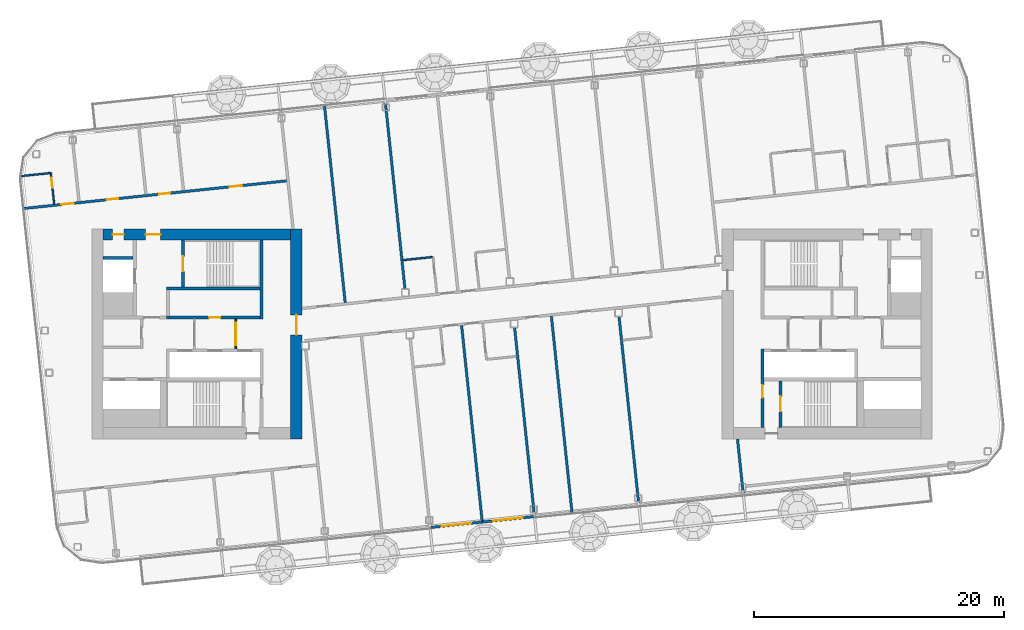
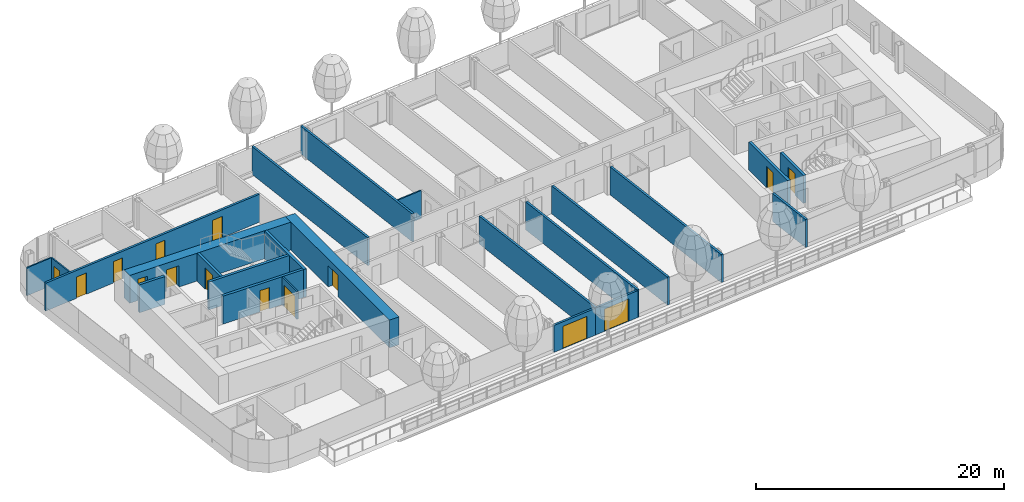
# One storey, part 13 of 29: 23 walls, 15 doors, 15 openings, 1 element without a shape of its own.
"""IFC4 building model written with IfcOpenShell, lengths in metres."""

from ifc_helpers import new_model, si_unit, direction, frame, frame_2d, origin, place, context, subcontext, project, spatial, rectangle, extrude, material, layer, layer_set, type_object, element, fill, aggregate, save


model = new_model("IFC4")

# Units and contexts
model_context = context("Model", 3, precision=1e-05, world=origin(), true_north=direction((0.0, 1.0)))
body_context = subcontext(model_context, "Body", "Model", "MODEL_VIEW")
ifc_project = project(units=[si_unit("LENGTHUNIT", "METRE"), si_unit("AREAUNIT", "SQUARE_METRE"), si_unit("VOLUMEUNIT", "CUBIC_METRE"), si_unit("PLANEANGLEUNIT", "RADIAN"), si_unit("MASSUNIT", "GRAM", prefix="KILO")], contexts=[model_context])

# Site, building, storey
site_placement = place(None, origin())
site = spatial("IfcSite", under=ifc_project, at=site_placement, CompositionType="ELEMENT")
building_placement = place(site_placement, origin())
building = spatial("IfcBuilding", under=site, at=building_placement, Name="Hakoniwa Tower and Hamabe Station Hall", CompositionType="ELEMENT")
storey_placement = place(building_placement, frame((0.0, 0.0, 258.199951171875)))
storey = spatial("IfcBuildingStorey", under=building, at=storey_placement, Name="L73", CompositionType="ELEMENT", Elevation=258.199951171875)

# Walls
ifc_material_1 = material(Name="Gypsum board partition", Category="gypsum")
ifc_layer_1 = layer(ifc_material_1, 0.125)
ifc_layer_set_1 = layer_set([ifc_layer_1], Name="Bathroom Partition 125")
wall_type_1 = type_object("IfcWallType", Name="Bathroom Partition 125", PredefinedType="PARTITIONING", material=ifc_layer_set_1)
wall_1_placement = place(storey_placement, frame((-8.7041015625, 5.908935546875, 0.0), z_axis=(0.0, 0.0, 1.0), x_axis=(0.994530605544, 0.104445558238, 0.0)))
element("IfcWall", 1, at=wall_1_placement, inside=storey, type_object=wall_type_1, Name="GW-L73-009", PredefinedType="PARTITIONING", context=body_context, shape_type="SweptSolid", body=[
    extrude(rectangle(XDim=2.33740234375, YDim=0.125, at=frame_2d((1.168701171875, 0.0))), origin(), (0.0, 0.0, 1.0), 2.75),
])
wall_2_placement = place(storey_placement, frame((-39.336181640625, 12.62353515625, 0.0), z_axis=(0.0, 0.0, 1.0), x_axis=(0.994528281662, 0.104467683877, 0.0)))
element("IfcWall", 2, at=wall_2_placement, inside=storey, type_object=wall_type_1, Name="GW-L73-016", PredefinedType="PARTITIONING", context=body_context, shape_type="SweptSolid", body=[
    extrude(rectangle(XDim=2.400146484375, YDim=0.125, at=frame_2d((1.2001953125, 0.0))), origin(), (0.0, 0.0, 1.0), 2.75),
])

# Wall, opening, door
wall_3_placement = place(storey_placement, frame((-36.625732421875, 10.39453125, 0.0), z_axis=(0.0, 0.0, 1.0), x_axis=(-0.104588199498, 0.994515615024, 0.0)))
wall_3 = element("IfcWall", 3, at=wall_3_placement, inside=storey, type_object=wall_type_1, Name="GW-L73-018", PredefinedType="PARTITIONING", context=body_context, shape_type="SweptSolid", body=[
    extrude(rectangle(XDim=2.5, YDim=0.125, at=frame_2d((1.25, 0.0))), origin(), (0.0, 0.0, 1.0), 2.75),
])
opening_1_placement = place(wall_3_placement, frame((1.300048828125, 0.0, 0.0)))
opening_1 = element("IfcOpeningElement", 4, at=opening_1_placement, cuts=wall_3, Name="Opening GD-G5C1-30", PredefinedType="OPENING", context=body_context, shape_type="SweptSolid", body=[
    extrude(rectangle(XDim=0.800048828125, YDim=2.10009765625, at=frame_2d((0.39990234375, 1.050048828125))), frame((0.0, 0.072509765625, 0.0), z_axis=(0.0, -1.0, 0.0), x_axis=(1.0, 0.0, 0.0)), (0.0, 0.0, 1.0), 0.14501953125),
])
ifc_material_2 = material(Name="Timber door leaf", Category="wood")
door_type_1 = type_object("IfcDoorType", Name="Bathroom Door 800", OperationType="SINGLE_SWING_LEFT", PredefinedType="DOOR", material=ifc_material_2)
door_1_placement = place(opening_1_placement, origin())
door_1 = element("IfcDoor", 5, at=door_1_placement, inside=storey, type_object=door_type_1, Name="Door GD-G5C1-30", OperationType="SINGLE_SWING_LEFT", OverallHeight=2.10009765625, OverallWidth=0.800048828125, PredefinedType="DOOR", context=body_context, shape_type="SweptSolid", body=[
    extrude(rectangle(XDim=0.800048828125, YDim=2.10009765625, at=frame_2d((0.39990234375, 1.050048828125))), frame((0.0, 0.02490234375, 0.0), z_axis=(0.0, -1.0, 0.0), x_axis=(1.0, 0.0, 0.0)), (0.0, 0.0, 1.0), 0.050048828125),
])
fill(opening_1, door_1)

ifc_material_3 = material(Name="Gypsum board partition")
ifc_layer_2 = layer(ifc_material_3, 0.14990234375)
ifc_layer_set_2 = layer_set([ifc_layer_2], Name="CORE PARTITION 150 EI 60")
wall_type_2 = type_object("IfcWallType", Name="CORE PARTITION 150 EI 60", PredefinedType="PARTITIONING", material=ifc_layer_set_2)
wall_4_placement = place(storey_placement, frame((-22.10009765625, -1.199951171875, 0.0), z_axis=(0.0, 0.0, 1.0), x_axis=(0.0, 1.0, 0.0)))
wall_4 = element("IfcWall", 6, at=wall_4_placement, inside=storey, type_object=wall_type_2, Name="Core partition PL0 west", PredefinedType="PARTITIONING", context=body_context, shape_type="SweptSolid", body=[
    extrude(rectangle(XDim=2.39990234375, YDim=0.14990234375, at=frame_2d((1.199951171875, 0.0))), origin(), (0.0, 0.0, 1.0), 2.75),
])
opening_2_placement = place(wall_4_placement, frame((0.300048828125, 0.0, 0.0)))
opening_2 = element("IfcOpeningElement", 7, at=opening_2_placement, cuts=wall_4, Name="Opening CD-W-LP0-18", PredefinedType="OPENING", context=body_context, shape_type="SweptSolid", body=[
    extrude(rectangle(XDim=1.800048828125, YDim=2.10009765625, at=frame_2d((0.89990234375, 1.050048828125))), frame((0.0, 0.0849609375, 0.0), z_axis=(0.0, -1.0, 0.0), x_axis=(1.0, 0.0, 0.0)), (0.0, 0.0, 1.0), 0.169921875),
])
ifc_material_4 = material(Name="Steel fire door", Category="steel")
door_type_2 = type_object("IfcDoorType", Name="CORE DOOR 1800 FD60", OperationType="DOUBLE_DOOR_SINGLE_SWING", PredefinedType="DOOR", material=ifc_material_4)
door_2_placement = place(opening_2_placement, origin())
door_2 = element("IfcDoor", 8, at=door_2_placement, inside=storey, type_object=door_type_2, Name="Lift lobby partition door", OperationType="DOUBLE_DOOR_SINGLE_SWING", OverallHeight=2.10009765625, OverallWidth=1.800048828125, PredefinedType="DOOR", context=body_context, shape_type="SweptSolid", body=[
    extrude(rectangle(XDim=1.800048828125, YDim=2.10009765625, at=frame_2d((0.89990234375, 1.050048828125))), frame((0.0, 0.02490234375, 0.0), z_axis=(0.0, -1.0, 0.0), x_axis=(1.0, 0.0, 0.0)), (0.0, 0.0, 1.0), 0.050048828125),
])
fill(opening_2, door_2)

ifc_material_5 = material(Name="Concrete C60", Category="concrete")
ifc_layer_3 = layer(ifc_material_5, 0.89990234375)
ifc_layer_set_3 = layer_set([ifc_layer_3], Name="CORE WALL 900 C60")
wall_type_3 = type_object("IfcWallType", Name="CORE WALL 900 C60", PredefinedType="SHEAR", material=ifc_layer_set_3)
wall_5_placement = place(storey_placement, frame((-17.25, -8.39990234375, 0.0), z_axis=(0.0, 0.0, 1.0), x_axis=(0.0, 1.0, 0.0)))
wall_5 = element("IfcWall", 9, at=wall_5_placement, inside=storey, type_object=wall_type_3, Name="Core wall INNER west", PredefinedType="SHEAR", context=body_context, shape_type="SweptSolid", body=[
    extrude(rectangle(XDim=16.7998046875, YDim=0.89990234375, at=frame_2d((8.39990234375, 0.0))), origin(), (0.0, 0.0, 1.0), 2.75),
])
opening_3_placement = place(wall_5_placement, frame((8.321044921875, 0.0, 0.0)))
opening_3 = element("IfcOpeningElement", 10, at=opening_3_placement, cuts=wall_5, Name="Opening CD-W-IN1-16", PredefinedType="OPENING", context=body_context, shape_type="SweptSolid", body=[
    extrude(rectangle(XDim=1.60009765625, YDim=2.10009765625, at=frame_2d((0.800048828125, 1.050048828125))), frame((0.0, 0.4599609375, 0.0), z_axis=(0.0, -1.0, 0.0), x_axis=(1.0, 0.0, 0.0)), (0.0, 0.0, 1.0), 0.919921875),
])
ifc_material_6 = material(Name="Steel fire door", Category="steel")
door_type_3 = type_object("IfcDoorType", Name="CORE DOOR 1600 FD60", OperationType="DOUBLE_DOOR_SINGLE_SWING", PredefinedType="DOOR", material=ifc_material_6)
door_3_placement = place(opening_3_placement, origin())
door_3 = element("IfcDoor", 11, at=door_3_placement, inside=storey, type_object=door_type_3, Name="Lift lobby door", OperationType="DOUBLE_DOOR_SINGLE_SWING", OverallHeight=2.10009765625, OverallWidth=1.60009765625, PredefinedType="DOOR", context=body_context, shape_type="SweptSolid", body=[
    extrude(rectangle(XDim=1.60009765625, YDim=2.10009765625, at=frame_2d((0.800048828125, 1.050048828125))), frame((0.0, 0.02490234375, 0.0), z_axis=(0.0, -1.0, 0.0), x_axis=(1.0, 0.0, 0.0)), (0.0, 0.0, 1.0), 0.050048828125),
])
fill(opening_3, door_3)

# Wall, openings, doors
wall_6_placement = place(storey_placement, frame((-32.699951171875, 7.949951171875, 0.0), z_axis=(0.0, 0.0, 1.0), x_axis=(1.0, 0.0, 0.0)))
wall_6 = element("IfcWall", 12, at=wall_6_placement, inside=storey, type_object=wall_type_3, Name="Core wall NORTH west", PredefinedType="SHEAR", context=body_context, shape_type="SweptSolid", body=[
    extrude(rectangle(XDim=15.0, YDim=0.89990234375, at=frame_2d((7.5, 0.0))), origin(), (0.0, 0.0, 1.0), 2.75),
])
opening_4_placement = place(wall_6_placement, frame((3.39990234375, 0.0, 0.0)))
opening_4 = element("IfcOpeningElement", 13, at=opening_4_placement, cuts=wall_6, Name="Opening CD-W-FN1-12", PredefinedType="OPENING", context=body_context, shape_type="SweptSolid", body=[
    extrude(rectangle(XDim=1.199951171875, YDim=2.10009765625, at=frame_2d((0.60009765625, 1.050048828125))), frame((0.0, 0.4599609375, 0.0), z_axis=(0.0, -1.0, 0.0), x_axis=(1.0, 0.0, 0.0)), (0.0, 0.0, 1.0), 0.919921875),
])
opening_5_placement = place(wall_6_placement, frame((0.75, 0.0, 0.0)))
opening_5 = element("IfcOpeningElement", 14, at=opening_5_placement, cuts=wall_6, Name="Opening CD-W-FN2-9", PredefinedType="OPENING", context=body_context, shape_type="SweptSolid", body=[
    extrude(rectangle(XDim=0.89990234375, YDim=2.10009765625, at=frame_2d((0.449951171875, 1.050048828125))), frame((0.0, 0.4599609375, 0.0), z_axis=(0.0, -1.0, 0.0), x_axis=(1.0, 0.0, 0.0)), (0.0, 0.0, 1.0), 0.919921875),
])
ifc_material_7 = material(Name="Steel fire door", Category="steel")
door_type_4 = type_object("IfcDoorType", Name="CORE DOOR 1200 FD60", OperationType="DOUBLE_DOOR_SINGLE_SWING", PredefinedType="DOOR", material=ifc_material_7)
door_4_placement = place(opening_4_placement, origin())
door_4 = element("IfcDoor", 15, at=door_4_placement, inside=storey, type_object=door_type_4, Name="Stair vestibule door to the fire-fighting lobby", OperationType="DOUBLE_DOOR_SINGLE_SWING", OverallHeight=2.10009765625, OverallWidth=1.199951171875, PredefinedType="DOOR", context=body_context, shape_type="SweptSolid", body=[
    extrude(rectangle(XDim=1.199951171875, YDim=2.10009765625, at=frame_2d((0.60009765625, 1.050048828125))), frame((0.0, 0.02490234375, 0.0), z_axis=(0.0, -1.0, 0.0), x_axis=(1.0, 0.0, 0.0)), (0.0, 0.0, 1.0), 0.050048828125),
])
fill(opening_4, door_4)
ifc_material_8 = material(Name="Steel fire door", Category="steel")
door_type_5 = type_object("IfcDoorType", Name="CORE DOOR 900 FD30", OperationType="NOTDEFINED", PredefinedType="DOOR", material=ifc_material_8)
door_5_placement = place(opening_5_placement, origin())
door_5 = element("IfcDoor", 16, at=door_5_placement, inside=storey, type_object=door_type_5, Name="Riser access door", OperationType="SINGLE_SWING_LEFT", OverallHeight=2.10009765625, OverallWidth=0.89990234375, PredefinedType="DOOR", context=body_context, shape_type="SweptSolid", body=[
    extrude(rectangle(XDim=0.89990234375, YDim=2.10009765625, at=frame_2d((0.449951171875, 1.050048828125))), frame((0.0, 0.02490234375, 0.0), z_axis=(0.0, -1.0, 0.0), x_axis=(1.0, 0.0, 0.0)), (0.0, 0.0, 1.0), 0.050048828125),
])
fill(opening_5, door_5)

# Wall
ifc_material_9 = material(Name="Concrete C60", Category="concrete")
ifc_layer_4 = layer(ifc_material_9, 0.25)
ifc_layer_set_4 = layer_set([ifc_layer_4], Name="CORE WEB WALL 250 C60")
wall_type_4 = type_object("IfcWallType", Name="CORE WEB WALL 250 C60", PredefinedType="SHEAR", material=ifc_layer_set_4)
wall_7_placement = place(storey_placement, frame((-20.02490234375, 1.199951171875, 0.0), z_axis=(0.0, 0.0, 1.0), x_axis=(0.0, 1.0, 0.0)))
element("IfcWall", 17, at=wall_7_placement, inside=storey, type_object=wall_type_4, Name="Core wall W1N west", PredefinedType="SHEAR", context=body_context, shape_type="SweptSolid", body=[
    extrude(rectangle(XDim=6.300048828125, YDim=0.25, at=frame_2d((3.14990234375, 0.0))), origin(), (0.0, 0.0, 1.0), 2.75),
])

# Wall, opening, door
wall_8_placement = place(storey_placement, frame((-27.64990234375, 1.324951171875, 0.0), z_axis=(0.0, 0.0, 1.0), x_axis=(1.0, 0.0, 0.0)))
wall_8 = element("IfcWall", 18, at=wall_8_placement, inside=storey, type_object=wall_type_4, Name="Core wall NF west", PredefinedType="SHEAR", context=body_context, shape_type="SweptSolid", body=[
    extrude(rectangle(XDim=7.5, YDim=0.25, at=frame_2d((3.75, 0.0))), origin(), (0.0, 0.0, 1.0), 2.75),
])
opening_6_placement = place(wall_8_placement, frame((3.425048828125, 0.0, 0.0)))
opening_6 = element("IfcOpeningElement", 19, at=opening_6_placement, cuts=wall_8, Name="Opening CD-W-FRLR0-9", PredefinedType="OPENING", context=body_context, shape_type="SweptSolid", body=[
    extrude(rectangle(XDim=0.89990234375, YDim=2.10009765625, at=frame_2d((0.449951171875, 1.050048828125))), frame((0.0, 0.135009765625, 0.0), z_axis=(0.0, -1.0, 0.0), x_axis=(1.0, 0.0, 0.0)), (0.0, 0.0, 1.0), 0.27001953125),
])
door_6_placement = place(opening_6_placement, origin())
door_6 = element("IfcDoor", 20, at=door_6_placement, inside=storey, type_object=door_type_5, Name="Store room door", OperationType="SINGLE_SWING_RIGHT", OverallHeight=2.10009765625, OverallWidth=0.89990234375, PredefinedType="DOOR", context=body_context, shape_type="SweptSolid", body=[
    extrude(rectangle(XDim=0.89990234375, YDim=2.10009765625, at=frame_2d((0.449951171875, 1.050048828125))), frame((0.0, 0.02490234375, 0.0), z_axis=(0.0, -1.0, 0.0), x_axis=(1.0, 0.0, 0.0)), (0.0, 0.0, 1.0), 0.050048828125),
])
fill(opening_6, door_6)

# Wall
wall_9_placement = place(storey_placement, frame((-27.64990234375, 3.625, 0.0), z_axis=(0.0, 0.0, 1.0), x_axis=(1.0, 0.0, 0.0)))
element("IfcWall", 21, at=wall_9_placement, inside=storey, type_object=wall_type_4, Name="Core wall NR west", PredefinedType="SHEAR", context=body_context, shape_type="SweptSolid", body=[
    extrude(rectangle(XDim=7.5, YDim=0.25, at=frame_2d((3.75, 0.0))), origin(), (0.0, 0.0, 1.0), 2.75),
])

# Wall, opening, door
wall_10_placement = place(storey_placement, frame((-26.324951171875, 3.75, 0.0), z_axis=(0.0, 0.0, 1.0), x_axis=(0.0, 1.0, 0.0)))
wall_10 = element("IfcWall", 22, at=wall_10_placement, inside=storey, type_object=wall_type_4, Name="Core wall NSE west", PredefinedType="SHEAR", context=body_context, shape_type="SweptSolid", body=[
    extrude(rectangle(XDim=3.75, YDim=0.25, at=frame_2d((1.875, 0.0))), origin(), (0.0, 0.0, 1.0), 2.75),
])
opening_7_placement = place(wall_10_placement, frame((1.25, 0.0, 0.0)))
opening_7 = element("IfcOpeningElement", 23, at=opening_7_placement, cuts=wall_10, Name="Opening CD-W-SN-12", PredefinedType="OPENING", context=body_context, shape_type="SweptSolid", body=[
    extrude(rectangle(XDim=1.199951171875, YDim=2.10009765625, at=frame_2d((0.60009765625, 1.050048828125))), frame((0.0, 0.135009765625, 0.0), z_axis=(0.0, -1.0, 0.0), x_axis=(1.0, 0.0, 0.0)), (0.0, 0.0, 1.0), 0.27001953125),
])
door_7_placement = place(opening_7_placement, origin())
door_7 = element("IfcDoor", 24, at=door_7_placement, inside=storey, type_object=door_type_4, Name="Escape stair door", OperationType="DOUBLE_DOOR_SINGLE_SWING", OverallHeight=2.10009765625, OverallWidth=1.199951171875, PredefinedType="DOOR", context=body_context, shape_type="SweptSolid", body=[
    extrude(rectangle(XDim=1.199951171875, YDim=2.10009765625, at=frame_2d((0.60009765625, 1.050048828125))), frame((0.0, 0.02490234375, 0.0), z_axis=(0.0, -1.0, 0.0), x_axis=(1.0, 0.0, 0.0)), (0.0, 0.0, 1.0), 0.050048828125),
])
fill(opening_7, door_7)

# Wall
wall_11_placement = place(storey_placement, frame((-32.699951171875, 6.074951171875, 0.0), z_axis=(0.0, 0.0, 1.0), x_axis=(1.0, 0.0, 0.0)))
element("IfcWall", 25, at=wall_11_placement, inside=storey, type_object=wall_type_4, Name="Core wall C2 west", PredefinedType="SHEAR", context=body_context, shape_type="SweptSolid", body=[
    extrude(rectangle(XDim=2.39990234375, YDim=0.25, at=frame_2d((1.199951171875, 0.0))), origin(), (0.0, 0.0, 1.0), 2.75),
])

# Wall, opening, door
wall_12_placement = place(storey_placement, frame((20.02490234375, -7.5, 0.0), z_axis=(0.0, 0.0, 1.0), x_axis=(0.0, 1.0, 0.0)))
wall_12 = element("IfcWall", 26, at=wall_12_placement, inside=storey, type_object=wall_type_4, Name="Core wall W1S east", PredefinedType="SHEAR", context=body_context, shape_type="SweptSolid", body=[
    extrude(rectangle(XDim=6.300048828125, YDim=0.25, at=frame_2d((3.14990234375, 0.0))), origin(), (0.0, 0.0, 1.0), 2.75),
])
opening_8_placement = place(wall_12_placement, frame((2.39990234375, 0.0, 0.0)))
opening_8 = element("IfcOpeningElement", 27, at=opening_8_placement, cuts=wall_12, Name="Opening CD-E-VS-10", PredefinedType="OPENING", context=body_context, shape_type="SweptSolid", body=[
    extrude(rectangle(XDim=1.0, YDim=2.10009765625, at=frame_2d((0.5, 1.050048828125))), frame((0.0, 0.135009765625, 0.0), z_axis=(0.0, -1.0, 0.0), x_axis=(1.0, 0.0, 0.0)), (0.0, 0.0, 1.0), 0.27001953125),
])
ifc_material_10 = material(Name="Steel fire door", Category="steel")
door_type_6 = type_object("IfcDoorType", Name="CORE DOOR 1000 FD60", OperationType="NOTDEFINED", PredefinedType="DOOR", material=ifc_material_10)
door_8_placement = place(opening_8_placement, origin())
door_8 = element("IfcDoor", 28, at=door_8_placement, inside=storey, type_object=door_type_6, Name="Stair vestibule door", OperationType="SINGLE_SWING_RIGHT", OverallHeight=2.10009765625, OverallWidth=1.0, PredefinedType="DOOR", context=body_context, shape_type="SweptSolid", body=[
    extrude(rectangle(XDim=1.0, YDim=2.10009765625, at=frame_2d((0.5, 1.050048828125))), frame((0.0, 0.02490234375, 0.0), z_axis=(0.0, -1.0, 0.0), x_axis=(1.0, 0.0, 0.0)), (0.0, 0.0, 1.0), 0.050048828125),
])
fill(opening_8, door_8)

wall_13_placement = place(storey_placement, frame((21.47509765625, -7.5, 0.0), z_axis=(0.0, 0.0, 1.0), x_axis=(0.0, 1.0, 0.0)))
wall_13 = element("IfcWall", 29, at=wall_13_placement, inside=storey, type_object=wall_type_4, Name="Core wall VE east", PredefinedType="SHEAR", context=body_context, shape_type="SweptSolid", body=[
    extrude(rectangle(XDim=3.75, YDim=0.25, at=frame_2d((1.875, 0.0))), origin(), (0.0, 0.0, 1.0), 2.75),
])
opening_9_placement = place(wall_13_placement, frame((1.300048828125, 0.0, 0.0)))
opening_9 = element("IfcOpeningElement", 30, at=opening_9_placement, cuts=wall_13, Name="Opening CD-E-SS-12", PredefinedType="OPENING", context=body_context, shape_type="SweptSolid", body=[
    extrude(rectangle(XDim=1.199951171875, YDim=2.10009765625, at=frame_2d((0.60009765625, 1.050048828125))), frame((0.0, 0.135009765625, 0.0), z_axis=(0.0, -1.0, 0.0), x_axis=(1.0, 0.0, 0.0)), (0.0, 0.0, 1.0), 0.27001953125),
])
door_9_placement = place(opening_9_placement, origin())
door_9 = element("IfcDoor", 31, at=door_9_placement, inside=storey, type_object=door_type_4, Name="Escape stair door", OperationType="DOUBLE_DOOR_SINGLE_SWING", OverallHeight=2.10009765625, OverallWidth=1.199951171875, PredefinedType="DOOR", context=body_context, shape_type="SweptSolid", body=[
    extrude(rectangle(XDim=1.199951171875, YDim=2.10009765625, at=frame_2d((0.60009765625, 1.050048828125))), frame((0.0, 0.02490234375, 0.0), z_axis=(0.0, -1.0, 0.0), x_axis=(1.0, 0.0, 0.0)), (0.0, 0.0, 1.0), 0.050048828125),
])
fill(opening_9, door_9)

# Wall, openings, doors
ifc_material_11 = material(Name="Fire-rated gypsum board partition", Category="gypsum")
ifc_layer_5 = layer(ifc_material_11, 0.199951171875)
ifc_layer_set_5 = layer_set([ifc_layer_5], Name="Corridor Wall 200")
wall_type_5 = type_object("IfcWallType", Name="Corridor Wall 200", PredefinedType="PARTITIONING", material=ifc_layer_set_5)
wall_14_placement = place(storey_placement, frame((-39.101806640625, 10.033935546875, 0.0), z_axis=(0.0, 0.0, 1.0), x_axis=(0.994522585465, 0.104521897229, 0.0)))
wall_14 = element("IfcWall", 32, at=wall_14_placement, inside=storey, type_object=wall_type_5, Name="GW-L73-015", PredefinedType="PARTITIONING", context=body_context, shape_type="SweptSolid", body=[
    extrude(rectangle(XDim=21.300048828125, YDim=0.199951171875, at=frame_2d((10.64990234375, 0.0))), origin(), (0.0, 0.0, 1.0), 2.75),
])
opening_10_placement = place(wall_14_placement, frame((3.050048828125, 0.0, 0.0)))
opening_10 = element("IfcOpeningElement", 33, at=opening_10_placement, cuts=wall_14, Name="Opening GD-G5C1-25", PredefinedType="OPENING", context=body_context, shape_type="SweptSolid", body=[
    extrude(rectangle(XDim=1.0, YDim=2.10009765625, at=frame_2d((0.5, 1.050048828125))), frame((0.0, 0.10986328125, 0.0), z_axis=(0.0, -1.0, 0.0), x_axis=(1.0, 0.0, 0.0)), (0.0, 0.0, 1.0), 0.219970703125),
])
opening_11_placement = place(wall_14_placement, frame((6.739990234375, 0.0, 0.0)))
opening_11 = element("IfcOpeningElement", 34, at=opening_11_placement, cuts=wall_14, Name="Opening GD-G5C1-26", PredefinedType="OPENING", context=body_context, shape_type="SweptSolid", body=[
    extrude(rectangle(XDim=0.89990234375, YDim=2.10009765625, at=frame_2d((0.449951171875, 1.050048828125))), frame((0.0, 0.10986328125, 0.0), z_axis=(0.0, -1.0, 0.0), x_axis=(1.0, 0.0, 0.0)), (0.0, 0.0, 1.0), 0.219970703125),
])
opening_12_placement = place(wall_14_placement, frame((10.93994140625, 0.0, 0.0)))
opening_12 = element("IfcOpeningElement", 35, at=opening_12_placement, cuts=wall_14, Name="Opening GD-G5C1-27", PredefinedType="OPENING", context=body_context, shape_type="SweptSolid", body=[
    extrude(rectangle(XDim=0.89990234375, YDim=2.10009765625, at=frame_2d((0.449951171875, 1.050048828125))), frame((0.0, 0.10986328125, 0.0), z_axis=(0.0, -1.0, 0.0), x_axis=(1.0, 0.0, 0.0)), (0.0, 0.0, 1.0), 0.219970703125),
])
opening_13_placement = place(wall_14_placement, frame((16.60009765625, 0.0, 0.0)))
opening_13 = element("IfcOpeningElement", 36, at=opening_13_placement, cuts=wall_14, Name="Opening GD-G5C1-28", PredefinedType="OPENING", context=body_context, shape_type="SweptSolid", body=[
    extrude(rectangle(XDim=1.0, YDim=2.10009765625, at=frame_2d((0.5, 1.050048828125))), frame((0.0, 0.10986328125, 0.0), z_axis=(0.0, -1.0, 0.0), x_axis=(1.0, 0.0, 0.0)), (0.0, 0.0, 1.0), 0.219970703125),
])
ifc_material_12 = material(Name="Timber door leaf", Category="wood")
door_type_7 = type_object("IfcDoorType", Name="Guest Entrance Door 1000", OperationType="SINGLE_SWING_LEFT", PredefinedType="DOOR", material=ifc_material_12)
door_10_placement = place(opening_10_placement, origin())
door_10 = element("IfcDoor", 37, at=door_10_placement, inside=storey, type_object=door_type_7, Name="Door GD-G5C1-25", OperationType="SINGLE_SWING_LEFT", OverallHeight=2.10009765625, OverallWidth=1.0, PredefinedType="DOOR", context=body_context, shape_type="SweptSolid", body=[
    extrude(rectangle(XDim=1.0, YDim=2.10009765625, at=frame_2d((0.5, 1.050048828125))), frame((0.0, 0.02490234375, 0.0), z_axis=(0.0, -1.0, 0.0), x_axis=(1.0, 0.0, 0.0)), (0.0, 0.0, 1.0), 0.050048828125),
])
fill(opening_10, door_10)
door_11_placement = place(opening_13_placement, origin())
door_11 = element("IfcDoor", 38, at=door_11_placement, inside=storey, type_object=door_type_7, Name="Door GD-G5C1-28", OperationType="SINGLE_SWING_RIGHT", OverallHeight=2.10009765625, OverallWidth=1.0, PredefinedType="DOOR", context=body_context, shape_type="SweptSolid", body=[
    extrude(rectangle(XDim=1.0, YDim=2.10009765625, at=frame_2d((0.5, 1.050048828125))), frame((0.0, 0.02490234375, 0.0), z_axis=(0.0, -1.0, 0.0), x_axis=(1.0, 0.0, 0.0)), (0.0, 0.0, 1.0), 0.050048828125),
])
fill(opening_13, door_11)
ifc_material_13 = material(Name="Timber door leaf", Category="wood")
door_type_8 = type_object("IfcDoorType", Name="Service Door 900", OperationType="SINGLE_SWING_LEFT", PredefinedType="DOOR", material=ifc_material_13)
door_12_placement = place(opening_11_placement, origin())
door_12 = element("IfcDoor", 39, at=door_12_placement, inside=storey, type_object=door_type_8, Name="Door GD-G5C1-26", OperationType="SINGLE_SWING_RIGHT", OverallHeight=2.10009765625, OverallWidth=0.89990234375, PredefinedType="DOOR", context=body_context, shape_type="SweptSolid", body=[
    extrude(rectangle(XDim=0.89990234375, YDim=2.10009765625, at=frame_2d((0.449951171875, 1.050048828125))), frame((0.0, 0.02490234375, 0.0), z_axis=(0.0, -1.0, 0.0), x_axis=(1.0, 0.0, 0.0)), (0.0, 0.0, 1.0), 0.050048828125),
])
fill(opening_11, door_12)
door_13_placement = place(opening_12_placement, origin())
door_13 = element("IfcDoor", 40, at=door_13_placement, inside=storey, type_object=door_type_8, Name="Door GD-G5C1-27", OperationType="SINGLE_SWING_LEFT", OverallHeight=2.10009765625, OverallWidth=0.89990234375, PredefinedType="DOOR", context=body_context, shape_type="SweptSolid", body=[
    extrude(rectangle(XDim=0.89990234375, YDim=2.10009765625, at=frame_2d((0.449951171875, 1.050048828125))), frame((0.0, 0.02490234375, 0.0), z_axis=(0.0, -1.0, 0.0), x_axis=(1.0, 0.0, 0.0)), (0.0, 0.0, 1.0), 0.050048828125),
])
fill(opening_12, door_13)

# Curtain wall, walls, openings, doors
ifc_material_14 = material(Name="Dark low-e laminated glass", Category="glass")
ifc_layer_6 = layer(ifc_material_14, 0.199951171875)
ifc_layer_set_6 = layer_set([ifc_layer_6], Name="CW-1 UNITISED GUEST")
curtain_wall_type = type_object("IfcCurtainWallType", Name="CW-1 UNITISED GUEST", PredefinedType="NOTDEFINED", material=ifc_layer_set_6)
curtain_wall_placement = place(storey_placement, origin())
curtain_wall = element("IfcCurtainWall", 41, at=curtain_wall_placement, inside=storey, type_object=curtain_wall_type, Name="CW-1 curtain wall", PredefinedType="NOTDEFINED")
ifc_material_15 = material(Name="Dark glass-faced aluminium panel", Category="aluminium")
ifc_layer_7 = layer(ifc_material_15, 0.199951171875)
ifc_layer_set_7 = layer_set([ifc_layer_7], Name="DOOR BAY WALL")
wall_type_6 = type_object("IfcWallType", Name="DOOR BAY WALL", PredefinedType="NOTDEFINED", material=ifc_layer_set_7)
wall_15_placement = place(storey_placement, frame((-6.5361328125, -15.481689453125, 0.0), z_axis=(0.0, 0.0, 1.0), x_axis=(0.994520342386, 0.104543237853, 0.0)))
wall_15 = element("IfcWall", 42, at=wall_15_placement, type_object=wall_type_6, Name="Door bay wall", PredefinedType="NOTDEFINED", context=body_context, shape_type="SweptSolid", body=[
    extrude(rectangle(XDim=4.219970703125, YDim=0.199951171875, at=frame_2d((2.10986328125, 0.0))), origin(), (0.0, 0.0, 1.0), 2.650146484375),
])
opening_14_placement = place(wall_15_placement, frame((0.909912109375, 0.0, 0.0)))
opening_14 = element("IfcOpeningElement", 43, at=opening_14_placement, cuts=wall_15, Name="Opening BD-S07-3", PredefinedType="OPENING", context=body_context, shape_type="SweptSolid", body=[
    extrude(rectangle(XDim=2.39990234375, YDim=2.199951171875, at=frame_2d((1.199951171875, 1.10009765625))), frame((0.0, 0.10986328125, 0.0), z_axis=(0.0, -1.0, 0.0), x_axis=(1.0, 0.0, 0.0)), (0.0, 0.0, 1.0), 0.219970703125),
])
ifc_material_16 = material(Name="Dark low-e laminated glass", Category="glass")
door_type_9 = type_object("IfcDoorType", Name="BALCONY SLIDING DOOR 2400X2200", OperationType="SLIDING_TO_LEFT", PredefinedType="DOOR", material=ifc_material_16)
door_14_placement = place(opening_14_placement, frame((2.39990234375, 0.0, 0.0), z_axis=(0.0, 0.0, 1.0), x_axis=(-1.0, 0.0, 0.0)))
door_14 = element("IfcDoor", 44, at=door_14_placement, inside=storey, type_object=door_type_9, Name="Balcony sliding door", OperationType="SLIDING_TO_LEFT", OverallHeight=2.199951171875, OverallWidth=2.39990234375, PredefinedType="DOOR", context=body_context, shape_type="SweptSolid", body=[
    extrude(rectangle(XDim=2.39990234375, YDim=2.199951171875, at=frame_2d((1.199951171875, 1.10009765625))), frame((0.0, 0.02490234375, 0.0), z_axis=(0.0, -1.0, 0.0), x_axis=(1.0, 0.0, 0.0)), (0.0, 0.0, 1.0), 0.050048828125),
])
fill(opening_14, door_14)
wall_16_placement = place(storey_placement, frame((-2.4189453125, -15.049072265625, 0.0), z_axis=(0.0, 0.0, 1.0), x_axis=(0.994520974641, 0.104537223034, 0.0)))
wall_16 = element("IfcWall", 45, at=wall_16_placement, type_object=wall_type_6, Name="Door bay wall", PredefinedType="NOTDEFINED", context=body_context, shape_type="SweptSolid", body=[
    extrude(rectangle(XDim=4.22021484375, YDim=0.199951171875, at=frame_2d((2.110107421875, 0.0))), origin(), (0.0, 0.0, 1.0), 2.650146484375),
])
opening_15_placement = place(wall_16_placement, frame((0.909912109375, 0.0, 0.0)))
opening_15 = element("IfcOpeningElement", 46, at=opening_15_placement, cuts=wall_16, Name="Opening BD-S07-4", PredefinedType="OPENING", context=body_context, shape_type="SweptSolid", body=[
    extrude(rectangle(XDim=2.39990234375, YDim=2.199951171875, at=frame_2d((1.199951171875, 1.10009765625))), frame((0.0, 0.10986328125, 0.0), z_axis=(0.0, -1.0, 0.0), x_axis=(1.0, 0.0, 0.0)), (0.0, 0.0, 1.0), 0.219970703125),
])
door_15_placement = place(opening_15_placement, frame((2.39990234375, 0.0, 0.0), z_axis=(0.0, 0.0, 1.0), x_axis=(-1.0, 0.0, 0.0)))
door_15 = element("IfcDoor", 47, at=door_15_placement, inside=storey, type_object=door_type_9, Name="Balcony sliding door", OperationType="SLIDING_TO_LEFT", OverallHeight=2.199951171875, OverallWidth=2.39990234375, PredefinedType="DOOR", context=body_context, shape_type="SweptSolid", body=[
    extrude(rectangle(XDim=2.39990234375, YDim=2.199951171875, at=frame_2d((1.199951171875, 1.10009765625))), frame((0.0, 0.02490234375, 0.0), z_axis=(0.0, -1.0, 0.0), x_axis=(1.0, 0.0, 0.0)), (0.0, 0.0, 1.0), 0.050048828125),
])
fill(opening_15, door_15)
aggregate(curtain_wall, [wall_15, wall_16])

# Walls
ifc_material_17 = material(Name="Fire-rated gypsum board partition", Category="gypsum")
ifc_layer_8 = layer(ifc_material_17, 0.199951171875)
ifc_layer_set_8 = layer_set([ifc_layer_8], Name="Party Wall 200")
wall_type_7 = type_object("IfcWallType", Name="Party Wall 200", PredefinedType="PARTITIONING", material=ifc_layer_set_8)
wall_17_placement = place(storey_placement, frame((-13.34375, 2.505126953125, 0.0), z_axis=(0.0, 0.0, 1.0), x_axis=(-0.104519331095, 0.994522855156, 0.0)))
element("IfcWall", 48, at=wall_17_placement, inside=storey, type_object=wall_type_7, Name="GW-L73-027", PredefinedType="PARTITIONING", context=body_context, shape_type="SweptSolid", body=[
    extrude(rectangle(XDim=15.900146484375, YDim=0.199951171875, at=frame_2d((7.9501953125, 0.0))), origin(), (0.0, 0.0, 1.0), 2.75),
])
wall_18_placement = place(storey_placement, frame((-8.562255859375, 3.6025390625, 0.0), z_axis=(0.0, 0.0, 1.0), x_axis=(-0.104523729364, 0.99452239291, 0.0)))
element("IfcWall", 49, at=wall_18_placement, inside=storey, type_object=wall_type_7, Name="GW-L73-030", PredefinedType="PARTITIONING", context=body_context, shape_type="SweptSolid", body=[
    extrude(rectangle(XDim=15.308349609375, YDim=0.199951171875, at=frame_2d((7.654296875, 0.0))), origin(), (0.0, 0.0, 1.0), 2.75),
])
wall_19_placement = place(storey_placement, frame((-2.36865234375, -15.144287109375, 0.0), z_axis=(0.0, 0.0, 1.0), x_axis=(-0.104534518003, 0.994521258971, 0.0)))
element("IfcWall", 50, at=wall_19_placement, inside=storey, type_object=wall_type_7, Name="GW-L73-033", PredefinedType="PARTITIONING", context=body_context, shape_type="SweptSolid", body=[
    extrude(rectangle(XDim=15.900146484375, YDim=0.199951171875, at=frame_2d((7.9501953125, 0.0))), origin(), (0.0, 0.0, 1.0), 2.75),
])
wall_20_placement = place(storey_placement, frame((1.808349609375, -14.705322265625, 0.0), z_axis=(0.0, 0.0, 1.0), x_axis=(-0.104523729364, 0.99452239291, 0.0)))
element("IfcWall", 51, at=wall_20_placement, inside=storey, type_object=wall_type_7, Name="GW-L73-037", PredefinedType="PARTITIONING", context=body_context, shape_type="SweptSolid", body=[
    extrude(rectangle(XDim=15.308349609375, YDim=0.199951171875, at=frame_2d((7.654296875, 0.0))), origin(), (0.0, 0.0, 1.0), 2.75),
])
wall_21_placement = place(storey_placement, frame((4.811767578125, -14.3896484375, 0.0), z_axis=(0.0, 0.0, 1.0), x_axis=(-0.104519331095, 0.994522855156, 0.0)))
element("IfcWall", 52, at=wall_21_placement, inside=storey, type_object=wall_type_7, Name="GW-L73-039", PredefinedType="PARTITIONING", context=body_context, shape_type="SweptSolid", body=[
    extrude(rectangle(XDim=15.900146484375, YDim=0.199951171875, at=frame_2d((7.9501953125, 0.0))), origin(), (0.0, 0.0, 1.0), 2.75),
])
wall_22_placement = place(storey_placement, frame((10.162353515625, -13.8271484375, 0.0), z_axis=(0.0, 0.0, 1.0), x_axis=(-0.104523729364, 0.99452239291, 0.0)))
element("IfcWall", 53, at=wall_22_placement, inside=storey, type_object=wall_type_7, Name="GW-L73-041", PredefinedType="PARTITIONING", context=body_context, shape_type="SweptSolid", body=[
    extrude(rectangle(XDim=15.308349609375, YDim=0.199951171875, at=frame_2d((7.654296875, 0.0))), origin(), (0.0, 0.0, 1.0), 2.75),
])
wall_23_placement = place(storey_placement, frame((18.516357421875, -12.94921875, 0.0), z_axis=(0.0, 0.0, 1.0), x_axis=(-0.104548796268, 0.994519758074, 0.0)))
element("IfcWall", 54, at=wall_23_placement, inside=storey, type_object=wall_type_7, Name="GW-L73-045", PredefinedType="PARTITIONING", context=body_context, shape_type="SweptSolid", body=[
    extrude(rectangle(XDim=4.579345703125, YDim=0.199951171875, at=frame_2d((2.28955078125, 0.0))), origin(), (0.0, 0.0, 1.0), 2.75),
])

save(model, "model.ifc")
